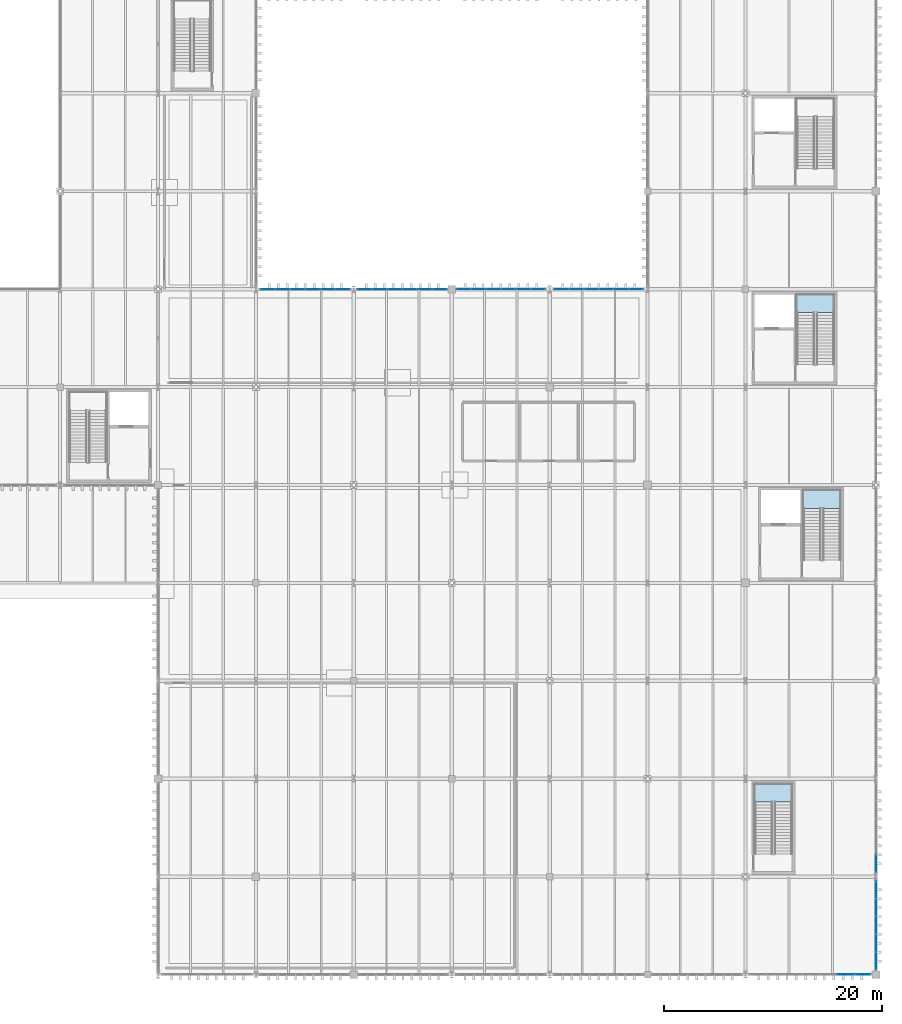
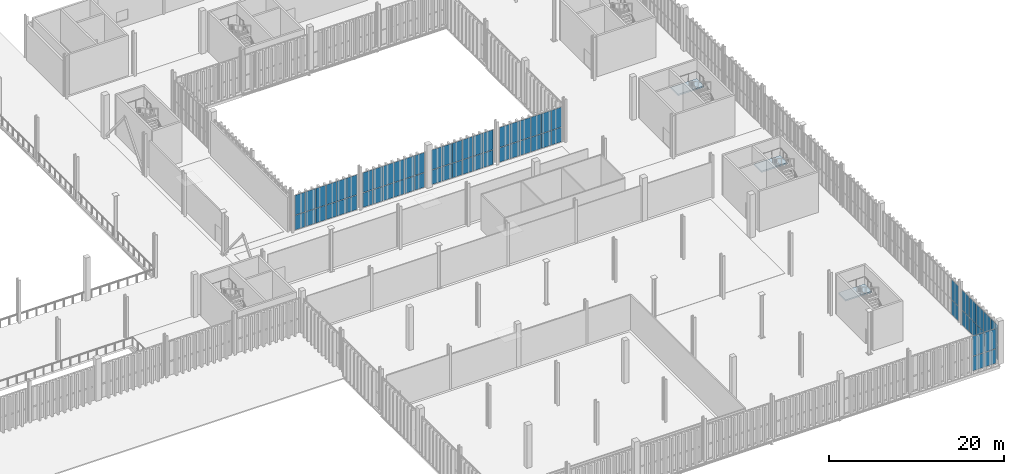
# One storey, part 161 of 211: 64 plates, 3 slabs, 10 elements without a shape of their own.
"""IFC4 building model written with IfcOpenShell, lengths in metres."""

from ifc_helpers import new_model, si_unit, direction, frame, origin, origin_2d, place, context, subcontext, project, spatial, polyline, rectangle, outline, extrude, material, layer, layer_set, type_object, element, aggregate, save


model = new_model("IFC4")

# Units and contexts
model_context = context("Model", 3, precision=1e-05, world=origin(), true_north=direction((0.0, 1.0)))
body_context = subcontext(model_context, "Body", "Model", "MODEL_VIEW")
ifc_project = project(units=[si_unit("LENGTHUNIT", "METRE"), si_unit("AREAUNIT", "SQUARE_METRE"), si_unit("VOLUMEUNIT", "CUBIC_METRE"), si_unit("PLANEANGLEUNIT", "RADIAN"), si_unit("MASSUNIT", "GRAM", prefix="KILO")], contexts=[model_context])

# Site, building, storey
site_placement = place(None, origin())
site = spatial("IfcSite", under=ifc_project, at=site_placement, CompositionType="ELEMENT")
building_placement = place(site_placement, origin())
building = spatial("IfcBuilding", under=site, at=building_placement, Name="Barlavento Convention Centre", CompositionType="ELEMENT")
storey_placement = place(building_placement, frame((0.0, 0.0, 6.0)))
storey = spatial("IfcBuildingStorey", under=building, at=storey_placement, Name="L01", CompositionType="ELEMENT", Elevation=6.0)

# Curtain wall, plates
ifc_material_1 = material(Name="Powder-coated aluminium and Low-E glass", Category="aluminium")
ifc_layer_1 = layer(ifc_material_1, 0.195068359375)
ifc_layer_set_1 = layer_set([ifc_layer_1], Name="ARC-CW-FOY-L01")
curtain_wall_type_1 = type_object("IfcCurtainWallType", Name="ARC-CW-FOY-L01", PredefinedType="NOTDEFINED", material=ifc_layer_set_1)
curtain_wall_1_placement = place(storey_placement, origin())
curtain_wall_1 = element("IfcCurtainWall", 1, at=curtain_wall_1_placement, inside=storey, type_object=curtain_wall_type_1, Name="L01 unitised curtain wall CW03", PredefinedType="NOTDEFINED")
ifc_material_2 = material(Name="Double-silver Low-E insulated glass", Category="glass")
ifc_layer_2 = layer(ifc_material_2, 0.028076171875)
ifc_layer_set_2 = layer_set([ifc_layer_2], Name="ARC-CWP-GLZ28")
plate_type_1 = type_object("IfcPlateType", Name="ARC-CWP-GLZ28", PredefinedType="CURTAIN_PANEL", material=ifc_layer_set_2)
plate_1_placement = place(storey_placement, frame((192.0, 1.2548828125, 0.06005859375), z_axis=(0.0, 0.0, 1.0), x_axis=(0.0, 1.0, 0.0)))
plate_1 = element("IfcPlate", 2, at=plate_1_placement, type_object=plate_type_1, Name="CW03 panel 1.1", PredefinedType="CURTAIN_PANEL", context=body_context, shape_type="SweptSolid", body=[
    extrude(rectangle(XDim=1.550048828125, YDim=0.028076171875, at=origin_2d()), origin(), (0.0, 0.0, 1.0), 2.010009765625),
])
plate_2_placement = place(storey_placement, frame((192.0, 1.2548828125, 2.1298828125), z_axis=(0.0, 0.0, 1.0), x_axis=(0.0, 1.0, 0.0)))
plate_2 = element("IfcPlate", 3, at=plate_2_placement, type_object=plate_type_1, Name="CW03 panel 1.2", PredefinedType="CURTAIN_PANEL", context=body_context, shape_type="SweptSolid", body=[
    extrude(rectangle(XDim=1.550048828125, YDim=0.028076171875, at=origin_2d()), origin(), (0.0, 0.0, 1.0), 2.760009765625),
])
plate_3_placement = place(storey_placement, frame((192.0, 2.8798828125, 0.06005859375), z_axis=(0.0, 0.0, 1.0), x_axis=(0.0, 1.0, 0.0)))
plate_3 = element("IfcPlate", 4, at=plate_3_placement, type_object=plate_type_1, Name="CW03 panel 2.1", PredefinedType="CURTAIN_PANEL", context=body_context, shape_type="SweptSolid", body=[
    extrude(rectangle(XDim=1.580078125, YDim=0.028076171875, at=origin_2d()), origin(), (0.0, 0.0, 1.0), 2.010009765625),
])
plate_4_placement = place(storey_placement, frame((192.0, 2.8798828125, 2.1298828125), z_axis=(0.0, 0.0, 1.0), x_axis=(0.0, 1.0, 0.0)))
plate_4 = element("IfcPlate", 5, at=plate_4_placement, type_object=plate_type_1, Name="CW03 panel 2.2", PredefinedType="CURTAIN_PANEL", context=body_context, shape_type="SweptSolid", body=[
    extrude(rectangle(XDim=1.580078125, YDim=0.028076171875, at=origin_2d()), origin(), (0.0, 0.0, 1.0), 2.760009765625),
])
plate_5_placement = place(storey_placement, frame((192.0, 4.52001953125, 0.06005859375), z_axis=(0.0, 0.0, 1.0), x_axis=(0.0, 1.0, 0.0)))
plate_5 = element("IfcPlate", 6, at=plate_5_placement, type_object=plate_type_1, Name="CW03 panel 3.1", PredefinedType="CURTAIN_PANEL", context=body_context, shape_type="SweptSolid", body=[
    extrude(rectangle(XDim=1.580078125, YDim=0.028076171875, at=origin_2d()), origin(), (0.0, 0.0, 1.0), 2.010009765625),
])
plate_6_placement = place(storey_placement, frame((192.0, 4.52001953125, 2.1298828125), z_axis=(0.0, 0.0, 1.0), x_axis=(0.0, 1.0, 0.0)))
plate_6 = element("IfcPlate", 7, at=plate_6_placement, type_object=plate_type_1, Name="CW03 panel 3.2", PredefinedType="CURTAIN_PANEL", context=body_context, shape_type="SweptSolid", body=[
    extrude(rectangle(XDim=1.580078125, YDim=0.028076171875, at=origin_2d()), origin(), (0.0, 0.0, 1.0), 2.760009765625),
])
plate_7_placement = place(storey_placement, frame((192.0, 6.159912109375, 0.06005859375), z_axis=(0.0, 0.0, 1.0), x_axis=(0.0, 1.0, 0.0)))
plate_7 = element("IfcPlate", 8, at=plate_7_placement, type_object=plate_type_1, Name="CW03 panel 4.1", PredefinedType="CURTAIN_PANEL", context=body_context, shape_type="SweptSolid", body=[
    extrude(rectangle(XDim=1.580078125, YDim=0.028076171875, at=origin_2d()), origin(), (0.0, 0.0, 1.0), 2.010009765625),
])
plate_8_placement = place(storey_placement, frame((192.0, 6.159912109375, 2.1298828125), z_axis=(0.0, 0.0, 1.0), x_axis=(0.0, 1.0, 0.0)))
plate_8 = element("IfcPlate", 9, at=plate_8_placement, type_object=plate_type_1, Name="CW03 panel 4.2", PredefinedType="CURTAIN_PANEL", context=body_context, shape_type="SweptSolid", body=[
    extrude(rectangle(XDim=1.580078125, YDim=0.028076171875, at=origin_2d()), origin(), (0.0, 0.0, 1.0), 2.760009765625),
])
plate_9_placement = place(storey_placement, frame((192.0, 7.784912109375, 0.06005859375), z_axis=(0.0, 0.0, 1.0), x_axis=(0.0, 1.0, 0.0)))
plate_9 = element("IfcPlate", 10, at=plate_9_placement, type_object=plate_type_1, Name="CW03 panel 5.1", PredefinedType="CURTAIN_PANEL", context=body_context, shape_type="SweptSolid", body=[
    extrude(rectangle(XDim=1.550048828125, YDim=0.028076171875, at=origin_2d()), origin(), (0.0, 0.0, 1.0), 2.010009765625),
])
plate_10_placement = place(storey_placement, frame((192.0, 7.784912109375, 2.1298828125), z_axis=(0.0, 0.0, 1.0), x_axis=(0.0, 1.0, 0.0)))
plate_10 = element("IfcPlate", 11, at=plate_10_placement, type_object=plate_type_1, Name="CW03 panel 5.2", PredefinedType="CURTAIN_PANEL", context=body_context, shape_type="SweptSolid", body=[
    extrude(rectangle(XDim=1.550048828125, YDim=0.028076171875, at=origin_2d()), origin(), (0.0, 0.0, 1.0), 2.760009765625),
])
aggregate(curtain_wall_1, [plate_1, plate_2, plate_3, plate_4, plate_5, plate_6, plate_7, plate_8, plate_9, plate_10])

curtain_wall_2_placement = place(storey_placement, origin())
curtain_wall_2 = element("IfcCurtainWall", 12, at=curtain_wall_2_placement, inside=storey, type_object=curtain_wall_type_1, Name="L01 unitised curtain wall CW03", PredefinedType="NOTDEFINED")
plate_11_placement = place(storey_placement, frame((192.0, 10.219970703125, 0.06005859375), z_axis=(0.0, 0.0, 1.0), x_axis=(0.0, 1.0, 0.0)))
plate_11 = element("IfcPlate", 13, at=plate_11_placement, type_object=plate_type_1, Name="CW03 panel 1.1", PredefinedType="CURTAIN_PANEL", context=body_context, shape_type="SweptSolid", body=[
    extrude(rectangle(XDim=1.56005859375, YDim=0.028076171875, at=origin_2d()), origin(), (0.0, 0.0, 1.0), 2.010009765625),
])
plate_12_placement = place(storey_placement, frame((192.0, 10.219970703125, 2.1298828125), z_axis=(0.0, 0.0, 1.0), x_axis=(0.0, 1.0, 0.0)))
plate_12 = element("IfcPlate", 14, at=plate_12_placement, type_object=plate_type_1, Name="CW03 panel 1.2", PredefinedType="CURTAIN_PANEL", context=body_context, shape_type="SweptSolid", body=[
    extrude(rectangle(XDim=1.56005859375, YDim=0.028076171875, at=origin_2d()), origin(), (0.0, 0.0, 1.0), 2.760009765625),
])
aggregate(curtain_wall_2, [plate_11, plate_12])

ifc_layer_3 = layer(ifc_material_1, 0.195068359375)
ifc_layer_set_3 = layer_set([ifc_layer_3], Name="ARC-CW-PATIO-A")
curtain_wall_type_2 = type_object("IfcCurtainWallType", Name="ARC-CW-PATIO-A", PredefinedType="NOTDEFINED", material=ifc_layer_set_3)
curtain_wall_3_placement = place(storey_placement, origin())
curtain_wall_3 = element("IfcCurtainWall", 15, at=curtain_wall_3_placement, inside=storey, type_object=curtain_wall_type_2, Name="L01 unitised curtain wall CW11", PredefinedType="NOTDEFINED")
plate_13_placement = place(storey_placement, frame((136.099365234375, 63.0, 0.06005859375), z_axis=(0.0, 0.0, 1.0), x_axis=(1.0, 0.0, 0.0)))
plate_13 = element("IfcPlate", 16, at=plate_13_placement, type_object=plate_type_1, Name="CW11 panel 1.1", PredefinedType="CURTAIN_PANEL", context=body_context, shape_type="SweptSolid", body=[
    extrude(rectangle(XDim=1.290771484375, YDim=0.028076171875, at=origin_2d()), origin(), (0.0, 0.0, 1.0), 2.010009765625),
])
plate_14_placement = place(storey_placement, frame((136.099365234375, 63.0, 2.1298828125), z_axis=(0.0, 0.0, 1.0), x_axis=(1.0, 0.0, 0.0)))
plate_14 = element("IfcPlate", 17, at=plate_14_placement, type_object=plate_type_1, Name="CW11 panel 1.2", PredefinedType="CURTAIN_PANEL", context=body_context, shape_type="SweptSolid", body=[
    extrude(rectangle(XDim=1.290771484375, YDim=0.028076171875, at=origin_2d()), origin(), (0.0, 0.0, 1.0), 2.760009765625),
])
plate_15_placement = place(storey_placement, frame((137.465087890625, 63.0, 0.06005859375), z_axis=(0.0, 0.0, 1.0), x_axis=(1.0, 0.0, 0.0)))
plate_15 = element("IfcPlate", 18, at=plate_15_placement, type_object=plate_type_1, Name="CW11 panel 2.1", PredefinedType="CURTAIN_PANEL", context=body_context, shape_type="SweptSolid", body=[
    extrude(rectangle(XDim=1.320556640625, YDim=0.028076171875, at=origin_2d()), origin(), (0.0, 0.0, 1.0), 2.010009765625),
])
plate_16_placement = place(storey_placement, frame((137.465087890625, 63.0, 2.1298828125), z_axis=(0.0, 0.0, 1.0), x_axis=(1.0, 0.0, 0.0)))
plate_16 = element("IfcPlate", 19, at=plate_16_placement, type_object=plate_type_1, Name="CW11 panel 2.2", PredefinedType="CURTAIN_PANEL", context=body_context, shape_type="SweptSolid", body=[
    extrude(rectangle(XDim=1.320556640625, YDim=0.028076171875, at=origin_2d()), origin(), (0.0, 0.0, 1.0), 2.760009765625),
])
plate_17_placement = place(storey_placement, frame((138.845703125, 63.0, 0.06005859375), z_axis=(0.0, 0.0, 1.0), x_axis=(1.0, 0.0, 0.0)))
plate_17 = element("IfcPlate", 20, at=plate_17_placement, type_object=plate_type_1, Name="CW11 panel 3.1", PredefinedType="CURTAIN_PANEL", context=body_context, shape_type="SweptSolid", body=[
    extrude(rectangle(XDim=1.320556640625, YDim=0.028076171875, at=origin_2d()), origin(), (0.0, 0.0, 1.0), 2.010009765625),
])
plate_18_placement = place(storey_placement, frame((138.845703125, 63.0, 2.1298828125), z_axis=(0.0, 0.0, 1.0), x_axis=(1.0, 0.0, 0.0)))
plate_18 = element("IfcPlate", 21, at=plate_18_placement, type_object=plate_type_1, Name="CW11 panel 3.2", PredefinedType="CURTAIN_PANEL", context=body_context, shape_type="SweptSolid", body=[
    extrude(rectangle(XDim=1.320556640625, YDim=0.028076171875, at=origin_2d()), origin(), (0.0, 0.0, 1.0), 2.760009765625),
])
plate_19_placement = place(storey_placement, frame((140.226318359375, 63.0, 0.06005859375), z_axis=(0.0, 0.0, 1.0), x_axis=(1.0, 0.0, 0.0)))
plate_19 = element("IfcPlate", 22, at=plate_19_placement, type_object=plate_type_1, Name="CW11 panel 4.1", PredefinedType="CURTAIN_PANEL", context=body_context, shape_type="SweptSolid", body=[
    extrude(rectangle(XDim=1.320556640625, YDim=0.028076171875, at=origin_2d()), origin(), (0.0, 0.0, 1.0), 2.010009765625),
])
plate_20_placement = place(storey_placement, frame((140.226318359375, 63.0, 2.1298828125), z_axis=(0.0, 0.0, 1.0), x_axis=(1.0, 0.0, 0.0)))
plate_20 = element("IfcPlate", 23, at=plate_20_placement, type_object=plate_type_1, Name="CW11 panel 4.2", PredefinedType="CURTAIN_PANEL", context=body_context, shape_type="SweptSolid", body=[
    extrude(rectangle(XDim=1.320556640625, YDim=0.028076171875, at=origin_2d()), origin(), (0.0, 0.0, 1.0), 2.760009765625),
])
plate_21_placement = place(storey_placement, frame((141.60693359375, 63.0, 0.06005859375), z_axis=(0.0, 0.0, 1.0), x_axis=(1.0, 0.0, 0.0)))
plate_21 = element("IfcPlate", 24, at=plate_21_placement, type_object=plate_type_1, Name="CW11 panel 5.1", PredefinedType="CURTAIN_PANEL", context=body_context, shape_type="SweptSolid", body=[
    extrude(rectangle(XDim=1.320556640625, YDim=0.028076171875, at=origin_2d()), origin(), (0.0, 0.0, 1.0), 2.010009765625),
])
plate_22_placement = place(storey_placement, frame((141.60693359375, 63.0, 2.1298828125), z_axis=(0.0, 0.0, 1.0), x_axis=(1.0, 0.0, 0.0)))
plate_22 = element("IfcPlate", 25, at=plate_22_placement, type_object=plate_type_1, Name="CW11 panel 5.2", PredefinedType="CURTAIN_PANEL", context=body_context, shape_type="SweptSolid", body=[
    extrude(rectangle(XDim=1.320556640625, YDim=0.028076171875, at=origin_2d()), origin(), (0.0, 0.0, 1.0), 2.760009765625),
])
plate_23_placement = place(storey_placement, frame((142.97265625, 63.0, 0.06005859375), z_axis=(0.0, 0.0, 1.0), x_axis=(1.0, 0.0, 0.0)))
plate_23 = element("IfcPlate", 26, at=plate_23_placement, type_object=plate_type_1, Name="CW11 panel 6.1", PredefinedType="CURTAIN_PANEL", context=body_context, shape_type="SweptSolid", body=[
    extrude(rectangle(XDim=1.290771484375, YDim=0.028076171875, at=origin_2d()), origin(), (0.0, 0.0, 1.0), 2.010009765625),
])
plate_24_placement = place(storey_placement, frame((142.97265625, 63.0, 2.1298828125), z_axis=(0.0, 0.0, 1.0), x_axis=(1.0, 0.0, 0.0)))
plate_24 = element("IfcPlate", 27, at=plate_24_placement, type_object=plate_type_1, Name="CW11 panel 6.2", PredefinedType="CURTAIN_PANEL", context=body_context, shape_type="SweptSolid", body=[
    extrude(rectangle(XDim=1.290771484375, YDim=0.028076171875, at=origin_2d()), origin(), (0.0, 0.0, 1.0), 2.760009765625),
])
aggregate(curtain_wall_3, [plate_13, plate_14, plate_15, plate_16, plate_17, plate_18, plate_19, plate_20, plate_21, plate_22, plate_23, plate_24])

curtain_wall_4_placement = place(storey_placement, origin())
curtain_wall_4 = element("IfcCurtainWall", 28, at=curtain_wall_4_placement, inside=storey, type_object=curtain_wall_type_2, Name="L01 unitised curtain wall CW11", PredefinedType="NOTDEFINED")
plate_25_placement = place(storey_placement, frame((145.02587890625, 63.0, 0.06005859375), z_axis=(0.0, 0.0, 1.0), x_axis=(1.0, 0.0, 0.0)))
plate_25 = element("IfcPlate", 29, at=plate_25_placement, type_object=plate_type_1, Name="CW11 panel 1.1", PredefinedType="CURTAIN_PANEL", context=body_context, shape_type="SweptSolid", body=[
    extrude(rectangle(XDim=1.2880859375, YDim=0.028076171875, at=origin_2d()), origin(), (0.0, 0.0, 1.0), 2.010009765625),
])
plate_26_placement = place(storey_placement, frame((145.02587890625, 63.0, 2.1298828125), z_axis=(0.0, 0.0, 1.0), x_axis=(1.0, 0.0, 0.0)))
plate_26 = element("IfcPlate", 30, at=plate_26_placement, type_object=plate_type_1, Name="CW11 panel 1.2", PredefinedType="CURTAIN_PANEL", context=body_context, shape_type="SweptSolid", body=[
    extrude(rectangle(XDim=1.2880859375, YDim=0.028076171875, at=origin_2d()), origin(), (0.0, 0.0, 1.0), 2.760009765625),
])
plate_27_placement = place(storey_placement, frame((146.388916015625, 63.0, 0.06005859375), z_axis=(0.0, 0.0, 1.0), x_axis=(1.0, 0.0, 0.0)))
plate_27 = element("IfcPlate", 31, at=plate_27_placement, type_object=plate_type_1, Name="CW11 panel 2.1", PredefinedType="CURTAIN_PANEL", context=body_context, shape_type="SweptSolid", body=[
    extrude(rectangle(XDim=1.318115234375, YDim=0.028076171875, at=origin_2d()), origin(), (0.0, 0.0, 1.0), 2.010009765625),
])
plate_28_placement = place(storey_placement, frame((146.388916015625, 63.0, 2.1298828125), z_axis=(0.0, 0.0, 1.0), x_axis=(1.0, 0.0, 0.0)))
plate_28 = element("IfcPlate", 32, at=plate_28_placement, type_object=plate_type_1, Name="CW11 panel 2.2", PredefinedType="CURTAIN_PANEL", context=body_context, shape_type="SweptSolid", body=[
    extrude(rectangle(XDim=1.318115234375, YDim=0.028076171875, at=origin_2d()), origin(), (0.0, 0.0, 1.0), 2.760009765625),
])
plate_29_placement = place(storey_placement, frame((147.76708984375, 63.0, 0.06005859375), z_axis=(0.0, 0.0, 1.0), x_axis=(1.0, 0.0, 0.0)))
plate_29 = element("IfcPlate", 33, at=plate_29_placement, type_object=plate_type_1, Name="CW11 panel 3.1", PredefinedType="CURTAIN_PANEL", context=body_context, shape_type="SweptSolid", body=[
    extrude(rectangle(XDim=1.318115234375, YDim=0.028076171875, at=origin_2d()), origin(), (0.0, 0.0, 1.0), 2.010009765625),
])
plate_30_placement = place(storey_placement, frame((147.76708984375, 63.0, 2.1298828125), z_axis=(0.0, 0.0, 1.0), x_axis=(1.0, 0.0, 0.0)))
plate_30 = element("IfcPlate", 34, at=plate_30_placement, type_object=plate_type_1, Name="CW11 panel 3.2", PredefinedType="CURTAIN_PANEL", context=body_context, shape_type="SweptSolid", body=[
    extrude(rectangle(XDim=1.318115234375, YDim=0.028076171875, at=origin_2d()), origin(), (0.0, 0.0, 1.0), 2.760009765625),
])
plate_31_placement = place(storey_placement, frame((149.14501953125, 63.0, 0.06005859375), z_axis=(0.0, 0.0, 1.0), x_axis=(1.0, 0.0, 0.0)))
plate_31 = element("IfcPlate", 35, at=plate_31_placement, type_object=plate_type_1, Name="CW11 panel 4.1", PredefinedType="CURTAIN_PANEL", context=body_context, shape_type="SweptSolid", body=[
    extrude(rectangle(XDim=1.318115234375, YDim=0.028076171875, at=origin_2d()), origin(), (0.0, 0.0, 1.0), 2.010009765625),
])
plate_32_placement = place(storey_placement, frame((149.14501953125, 63.0, 2.1298828125), z_axis=(0.0, 0.0, 1.0), x_axis=(1.0, 0.0, 0.0)))
plate_32 = element("IfcPlate", 36, at=plate_32_placement, type_object=plate_type_1, Name="CW11 panel 4.2", PredefinedType="CURTAIN_PANEL", context=body_context, shape_type="SweptSolid", body=[
    extrude(rectangle(XDim=1.318115234375, YDim=0.028076171875, at=origin_2d()), origin(), (0.0, 0.0, 1.0), 2.760009765625),
])
plate_33_placement = place(storey_placement, frame((150.52294921875, 63.0, 0.06005859375), z_axis=(0.0, 0.0, 1.0), x_axis=(1.0, 0.0, 0.0)))
plate_33 = element("IfcPlate", 37, at=plate_33_placement, type_object=plate_type_1, Name="CW11 panel 5.1", PredefinedType="CURTAIN_PANEL", context=body_context, shape_type="SweptSolid", body=[
    extrude(rectangle(XDim=1.318115234375, YDim=0.028076171875, at=origin_2d()), origin(), (0.0, 0.0, 1.0), 2.010009765625),
])
plate_34_placement = place(storey_placement, frame((150.52294921875, 63.0, 2.1298828125), z_axis=(0.0, 0.0, 1.0), x_axis=(1.0, 0.0, 0.0)))
plate_34 = element("IfcPlate", 38, at=plate_34_placement, type_object=plate_type_1, Name="CW11 panel 5.2", PredefinedType="CURTAIN_PANEL", context=body_context, shape_type="SweptSolid", body=[
    extrude(rectangle(XDim=1.318115234375, YDim=0.028076171875, at=origin_2d()), origin(), (0.0, 0.0, 1.0), 2.760009765625),
])
plate_35_placement = place(storey_placement, frame((151.885986328125, 63.0, 0.06005859375), z_axis=(0.0, 0.0, 1.0), x_axis=(1.0, 0.0, 0.0)))
plate_35 = element("IfcPlate", 39, at=plate_35_placement, type_object=plate_type_1, Name="CW11 panel 6.1", PredefinedType="CURTAIN_PANEL", context=body_context, shape_type="SweptSolid", body=[
    extrude(rectangle(XDim=1.2880859375, YDim=0.028076171875, at=origin_2d()), origin(), (0.0, 0.0, 1.0), 2.010009765625),
])
plate_36_placement = place(storey_placement, frame((151.885986328125, 63.0, 2.1298828125), z_axis=(0.0, 0.0, 1.0), x_axis=(1.0, 0.0, 0.0)))
plate_36 = element("IfcPlate", 40, at=plate_36_placement, type_object=plate_type_1, Name="CW11 panel 6.2", PredefinedType="CURTAIN_PANEL", context=body_context, shape_type="SweptSolid", body=[
    extrude(rectangle(XDim=1.2880859375, YDim=0.028076171875, at=origin_2d()), origin(), (0.0, 0.0, 1.0), 2.760009765625),
])
aggregate(curtain_wall_4, [plate_25, plate_26, plate_27, plate_28, plate_29, plate_30, plate_31, plate_32, plate_33, plate_34, plate_35, plate_36])

curtain_wall_5_placement = place(storey_placement, origin())
curtain_wall_5 = element("IfcCurtainWall", 41, at=curtain_wall_5_placement, inside=storey, type_object=curtain_wall_type_2, Name="L01 unitised curtain wall CW11", PredefinedType="NOTDEFINED")
plate_37_placement = place(storey_placement, frame((154.110107421875, 63.0, 0.06005859375), z_axis=(0.0, 0.0, 1.0), x_axis=(1.0, 0.0, 0.0)))
plate_37 = element("IfcPlate", 42, at=plate_37_placement, type_object=plate_type_1, Name="CW11 panel 1.1", PredefinedType="CURTAIN_PANEL", context=body_context, shape_type="SweptSolid", body=[
    extrude(rectangle(XDim=1.280029296875, YDim=0.028076171875, at=origin_2d()), origin(), (0.0, 0.0, 1.0), 2.010009765625),
])
plate_38_placement = place(storey_placement, frame((154.110107421875, 63.0, 2.1298828125), z_axis=(0.0, 0.0, 1.0), x_axis=(1.0, 0.0, 0.0)))
plate_38 = element("IfcPlate", 43, at=plate_38_placement, type_object=plate_type_1, Name="CW11 panel 1.2", PredefinedType="CURTAIN_PANEL", context=body_context, shape_type="SweptSolid", body=[
    extrude(rectangle(XDim=1.280029296875, YDim=0.028076171875, at=origin_2d()), origin(), (0.0, 0.0, 1.0), 2.760009765625),
])
plate_39_placement = place(storey_placement, frame((155.465087890625, 63.0, 0.06005859375), z_axis=(0.0, 0.0, 1.0), x_axis=(1.0, 0.0, 0.0)))
plate_39 = element("IfcPlate", 44, at=plate_39_placement, type_object=plate_type_1, Name="CW11 panel 2.1", PredefinedType="CURTAIN_PANEL", context=body_context, shape_type="SweptSolid", body=[
    extrude(rectangle(XDim=1.31005859375, YDim=0.028076171875, at=origin_2d()), origin(), (0.0, 0.0, 1.0), 2.010009765625),
])
plate_40_placement = place(storey_placement, frame((155.465087890625, 63.0, 2.1298828125), z_axis=(0.0, 0.0, 1.0), x_axis=(1.0, 0.0, 0.0)))
plate_40 = element("IfcPlate", 45, at=plate_40_placement, type_object=plate_type_1, Name="CW11 panel 2.2", PredefinedType="CURTAIN_PANEL", context=body_context, shape_type="SweptSolid", body=[
    extrude(rectangle(XDim=1.31005859375, YDim=0.028076171875, at=origin_2d()), origin(), (0.0, 0.0, 1.0), 2.760009765625),
])
plate_41_placement = place(storey_placement, frame((156.8349609375, 63.0, 0.06005859375), z_axis=(0.0, 0.0, 1.0), x_axis=(1.0, 0.0, 0.0)))
plate_41 = element("IfcPlate", 46, at=plate_41_placement, type_object=plate_type_1, Name="CW11 panel 3.1", PredefinedType="CURTAIN_PANEL", context=body_context, shape_type="SweptSolid", body=[
    extrude(rectangle(XDim=1.31005859375, YDim=0.028076171875, at=origin_2d()), origin(), (0.0, 0.0, 1.0), 2.010009765625),
])
plate_42_placement = place(storey_placement, frame((156.8349609375, 63.0, 2.1298828125), z_axis=(0.0, 0.0, 1.0), x_axis=(1.0, 0.0, 0.0)))
plate_42 = element("IfcPlate", 47, at=plate_42_placement, type_object=plate_type_1, Name="CW11 panel 3.2", PredefinedType="CURTAIN_PANEL", context=body_context, shape_type="SweptSolid", body=[
    extrude(rectangle(XDim=1.31005859375, YDim=0.028076171875, at=origin_2d()), origin(), (0.0, 0.0, 1.0), 2.760009765625),
])
plate_43_placement = place(storey_placement, frame((158.205078125, 63.0, 0.06005859375), z_axis=(0.0, 0.0, 1.0), x_axis=(1.0, 0.0, 0.0)))
plate_43 = element("IfcPlate", 48, at=plate_43_placement, type_object=plate_type_1, Name="CW11 panel 4.1", PredefinedType="CURTAIN_PANEL", context=body_context, shape_type="SweptSolid", body=[
    extrude(rectangle(XDim=1.31005859375, YDim=0.028076171875, at=origin_2d()), origin(), (0.0, 0.0, 1.0), 2.010009765625),
])
plate_44_placement = place(storey_placement, frame((158.205078125, 63.0, 2.1298828125), z_axis=(0.0, 0.0, 1.0), x_axis=(1.0, 0.0, 0.0)))
plate_44 = element("IfcPlate", 49, at=plate_44_placement, type_object=plate_type_1, Name="CW11 panel 4.2", PredefinedType="CURTAIN_PANEL", context=body_context, shape_type="SweptSolid", body=[
    extrude(rectangle(XDim=1.31005859375, YDim=0.028076171875, at=origin_2d()), origin(), (0.0, 0.0, 1.0), 2.760009765625),
])
plate_45_placement = place(storey_placement, frame((159.574951171875, 63.0, 0.06005859375), z_axis=(0.0, 0.0, 1.0), x_axis=(1.0, 0.0, 0.0)))
plate_45 = element("IfcPlate", 50, at=plate_45_placement, type_object=plate_type_1, Name="CW11 panel 5.1", PredefinedType="CURTAIN_PANEL", context=body_context, shape_type="SweptSolid", body=[
    extrude(rectangle(XDim=1.31005859375, YDim=0.028076171875, at=origin_2d()), origin(), (0.0, 0.0, 1.0), 2.010009765625),
])
plate_46_placement = place(storey_placement, frame((159.574951171875, 63.0, 2.1298828125), z_axis=(0.0, 0.0, 1.0), x_axis=(1.0, 0.0, 0.0)))
plate_46 = element("IfcPlate", 51, at=plate_46_placement, type_object=plate_type_1, Name="CW11 panel 5.2", PredefinedType="CURTAIN_PANEL", context=body_context, shape_type="SweptSolid", body=[
    extrude(rectangle(XDim=1.31005859375, YDim=0.028076171875, at=origin_2d()), origin(), (0.0, 0.0, 1.0), 2.760009765625),
])
plate_47_placement = place(storey_placement, frame((160.929931640625, 63.0, 0.06005859375), z_axis=(0.0, 0.0, 1.0), x_axis=(1.0, 0.0, 0.0)))
plate_47 = element("IfcPlate", 52, at=plate_47_placement, type_object=plate_type_1, Name="CW11 panel 6.1", PredefinedType="CURTAIN_PANEL", context=body_context, shape_type="SweptSolid", body=[
    extrude(rectangle(XDim=1.280029296875, YDim=0.028076171875, at=origin_2d()), origin(), (0.0, 0.0, 1.0), 2.010009765625),
])
plate_48_placement = place(storey_placement, frame((160.929931640625, 63.0, 2.1298828125), z_axis=(0.0, 0.0, 1.0), x_axis=(1.0, 0.0, 0.0)))
plate_48 = element("IfcPlate", 53, at=plate_48_placement, type_object=plate_type_1, Name="CW11 panel 6.2", PredefinedType="CURTAIN_PANEL", context=body_context, shape_type="SweptSolid", body=[
    extrude(rectangle(XDim=1.280029296875, YDim=0.028076171875, at=origin_2d()), origin(), (0.0, 0.0, 1.0), 2.760009765625),
])
aggregate(curtain_wall_5, [plate_37, plate_38, plate_39, plate_40, plate_41, plate_42, plate_43, plate_44, plate_45, plate_46, plate_47, plate_48])

curtain_wall_6_placement = place(storey_placement, origin())
curtain_wall_6 = element("IfcCurtainWall", 54, at=curtain_wall_6_placement, inside=storey, type_object=curtain_wall_type_2, Name="L01 unitised curtain wall CW11", PredefinedType="NOTDEFINED")
plate_49_placement = place(storey_placement, frame((163.07421875, 63.0, 0.06005859375), z_axis=(0.0, 0.0, 1.0), x_axis=(1.0, 0.0, 0.0)))
plate_49 = element("IfcPlate", 55, at=plate_49_placement, type_object=plate_type_1, Name="CW11 panel 1.1", PredefinedType="CURTAIN_PANEL", context=body_context, shape_type="SweptSolid", body=[
    extrude(rectangle(XDim=1.288330078125, YDim=0.028076171875, at=origin_2d()), origin(), (0.0, 0.0, 1.0), 2.010009765625),
])
plate_50_placement = place(storey_placement, frame((163.07421875, 63.0, 2.1298828125), z_axis=(0.0, 0.0, 1.0), x_axis=(1.0, 0.0, 0.0)))
plate_50 = element("IfcPlate", 56, at=plate_50_placement, type_object=plate_type_1, Name="CW11 panel 1.2", PredefinedType="CURTAIN_PANEL", context=body_context, shape_type="SweptSolid", body=[
    extrude(rectangle(XDim=1.288330078125, YDim=0.028076171875, at=origin_2d()), origin(), (0.0, 0.0, 1.0), 2.760009765625),
])
plate_51_placement = place(storey_placement, frame((164.4375, 63.0, 0.06005859375), z_axis=(0.0, 0.0, 1.0), x_axis=(1.0, 0.0, 0.0)))
plate_51 = element("IfcPlate", 57, at=plate_51_placement, type_object=plate_type_1, Name="CW11 panel 2.1", PredefinedType="CURTAIN_PANEL", context=body_context, shape_type="SweptSolid", body=[
    extrude(rectangle(XDim=1.318359375, YDim=0.028076171875, at=origin_2d()), origin(), (0.0, 0.0, 1.0), 2.010009765625),
])
plate_52_placement = place(storey_placement, frame((164.4375, 63.0, 2.1298828125), z_axis=(0.0, 0.0, 1.0), x_axis=(1.0, 0.0, 0.0)))
plate_52 = element("IfcPlate", 58, at=plate_52_placement, type_object=plate_type_1, Name="CW11 panel 2.2", PredefinedType="CURTAIN_PANEL", context=body_context, shape_type="SweptSolid", body=[
    extrude(rectangle(XDim=1.318359375, YDim=0.028076171875, at=origin_2d()), origin(), (0.0, 0.0, 1.0), 2.760009765625),
])
plate_53_placement = place(storey_placement, frame((165.81591796875, 63.0, 0.06005859375), z_axis=(0.0, 0.0, 1.0), x_axis=(1.0, 0.0, 0.0)))
plate_53 = element("IfcPlate", 59, at=plate_53_placement, type_object=plate_type_1, Name="CW11 panel 3.1", PredefinedType="CURTAIN_PANEL", context=body_context, shape_type="SweptSolid", body=[
    extrude(rectangle(XDim=1.318359375, YDim=0.028076171875, at=origin_2d()), origin(), (0.0, 0.0, 1.0), 2.010009765625),
])
plate_54_placement = place(storey_placement, frame((165.81591796875, 63.0, 2.1298828125), z_axis=(0.0, 0.0, 1.0), x_axis=(1.0, 0.0, 0.0)))
plate_54 = element("IfcPlate", 60, at=plate_54_placement, type_object=plate_type_1, Name="CW11 panel 3.2", PredefinedType="CURTAIN_PANEL", context=body_context, shape_type="SweptSolid", body=[
    extrude(rectangle(XDim=1.318359375, YDim=0.028076171875, at=origin_2d()), origin(), (0.0, 0.0, 1.0), 2.760009765625),
])
plate_55_placement = place(storey_placement, frame((167.194091796875, 63.0, 0.06005859375), z_axis=(0.0, 0.0, 1.0), x_axis=(1.0, 0.0, 0.0)))
plate_55 = element("IfcPlate", 61, at=plate_55_placement, type_object=plate_type_1, Name="CW11 panel 4.1", PredefinedType="CURTAIN_PANEL", context=body_context, shape_type="SweptSolid", body=[
    extrude(rectangle(XDim=1.318359375, YDim=0.028076171875, at=origin_2d()), origin(), (0.0, 0.0, 1.0), 2.010009765625),
])
plate_56_placement = place(storey_placement, frame((167.194091796875, 63.0, 2.1298828125), z_axis=(0.0, 0.0, 1.0), x_axis=(1.0, 0.0, 0.0)))
plate_56 = element("IfcPlate", 62, at=plate_56_placement, type_object=plate_type_1, Name="CW11 panel 4.2", PredefinedType="CURTAIN_PANEL", context=body_context, shape_type="SweptSolid", body=[
    extrude(rectangle(XDim=1.318359375, YDim=0.028076171875, at=origin_2d()), origin(), (0.0, 0.0, 1.0), 2.760009765625),
])
plate_57_placement = place(storey_placement, frame((168.572509765625, 63.0, 0.06005859375), z_axis=(0.0, 0.0, 1.0), x_axis=(1.0, 0.0, 0.0)))
plate_57 = element("IfcPlate", 63, at=plate_57_placement, type_object=plate_type_1, Name="CW11 panel 5.1", PredefinedType="CURTAIN_PANEL", context=body_context, shape_type="SweptSolid", body=[
    extrude(rectangle(XDim=1.318359375, YDim=0.028076171875, at=origin_2d()), origin(), (0.0, 0.0, 1.0), 2.010009765625),
])
plate_58_placement = place(storey_placement, frame((168.572509765625, 63.0, 2.1298828125), z_axis=(0.0, 0.0, 1.0), x_axis=(1.0, 0.0, 0.0)))
plate_58 = element("IfcPlate", 64, at=plate_58_placement, type_object=plate_type_1, Name="CW11 panel 5.2", PredefinedType="CURTAIN_PANEL", context=body_context, shape_type="SweptSolid", body=[
    extrude(rectangle(XDim=1.318359375, YDim=0.028076171875, at=origin_2d()), origin(), (0.0, 0.0, 1.0), 2.760009765625),
])
plate_59_placement = place(storey_placement, frame((169.935791015625, 63.0, 0.06005859375), z_axis=(0.0, 0.0, 1.0), x_axis=(1.0, 0.0, 0.0)))
plate_59 = element("IfcPlate", 65, at=plate_59_placement, type_object=plate_type_1, Name="CW11 panel 6.1", PredefinedType="CURTAIN_PANEL", context=body_context, shape_type="SweptSolid", body=[
    extrude(rectangle(XDim=1.288330078125, YDim=0.028076171875, at=origin_2d()), origin(), (0.0, 0.0, 1.0), 2.010009765625),
])
plate_60_placement = place(storey_placement, frame((169.935791015625, 63.0, 2.1298828125), z_axis=(0.0, 0.0, 1.0), x_axis=(1.0, 0.0, 0.0)))
plate_60 = element("IfcPlate", 66, at=plate_60_placement, type_object=plate_type_1, Name="CW11 panel 6.2", PredefinedType="CURTAIN_PANEL", context=body_context, shape_type="SweptSolid", body=[
    extrude(rectangle(XDim=1.288330078125, YDim=0.028076171875, at=origin_2d()), origin(), (0.0, 0.0, 1.0), 2.760009765625),
])
aggregate(curtain_wall_6, [plate_49, plate_50, plate_51, plate_52, plate_53, plate_54, plate_55, plate_56, plate_57, plate_58, plate_59, plate_60])

ifc_layer_4 = layer(ifc_material_1, 0.18994140625)
ifc_layer_set_4 = layer_set([ifc_layer_4], Name="ARC-CW-BALL-L01")
curtain_wall_type_3 = type_object("IfcCurtainWallType", Name="ARC-CW-BALL-L01", PredefinedType="NOTDEFINED", material=ifc_layer_set_4)
curtain_wall_7_placement = place(storey_placement, origin())
curtain_wall_7 = element("IfcCurtainWall", 67, at=curtain_wall_7_placement, inside=storey, type_object=curtain_wall_type_3, Name="L01 unitised curtain wall CW06", PredefinedType="NOTDEFINED")
ifc_material_3 = material(Name="Double-silver Low-E acoustic laminated glass", Category="glass")
ifc_layer_5 = layer(ifc_material_3, 0.031982421875)
ifc_layer_set_5 = layer_set([ifc_layer_5], Name="ARC-CWP-GLZ32")
plate_type_2 = type_object("IfcPlateType", Name="ARC-CWP-GLZ32", PredefinedType="CURTAIN_PANEL", material=ifc_layer_set_5)
plate_61_placement = place(storey_placement, frame((189.163330078125, 0.0, 0.06494140625), z_axis=(0.0, 0.0, 1.0), x_axis=(1.0, 0.0, 0.0)))
plate_61 = element("IfcPlate", 68, at=plate_61_placement, type_object=plate_type_2, Name="CW06 panel 6.1", PredefinedType="CURTAIN_PANEL", context=body_context, shape_type="SweptSolid", body=[
    extrude(rectangle(XDim=1.52783203125, YDim=0.031982421875, at=origin_2d()), origin(), (0.0, 0.0, 1.0), 2.00244140625),
])
plate_62_placement = place(storey_placement, frame((189.163330078125, 0.0, 2.132568359375), z_axis=(0.0, 0.0, 1.0), x_axis=(1.0, 0.0, 0.0)))
plate_62 = element("IfcPlate", 69, at=plate_62_placement, type_object=plate_type_2, Name="CW06 panel 6.2", PredefinedType="CURTAIN_PANEL", context=body_context, shape_type="SweptSolid", body=[
    extrude(rectangle(XDim=1.52783203125, YDim=0.031982421875, at=origin_2d()), origin(), (0.0, 0.0, 1.0), 2.75244140625),
])
plate_63_placement = place(storey_placement, frame((190.74365234375, 0.0, 0.06494140625), z_axis=(0.0, 0.0, 1.0), x_axis=(1.0, 0.0, 0.0)))
plate_63 = element("IfcPlate", 70, at=plate_63_placement, type_object=plate_type_2, Name="CW06 panel 7.1", PredefinedType="CURTAIN_PANEL", context=body_context, shape_type="SweptSolid", body=[
    extrude(rectangle(XDim=1.49267578125, YDim=0.031982421875, at=origin_2d()), origin(), (0.0, 0.0, 1.0), 2.00244140625),
])
plate_64_placement = place(storey_placement, frame((190.74365234375, 0.0, 2.132568359375), z_axis=(0.0, 0.0, 1.0), x_axis=(1.0, 0.0, 0.0)))
plate_64 = element("IfcPlate", 71, at=plate_64_placement, type_object=plate_type_2, Name="CW06 panel 7.2", PredefinedType="CURTAIN_PANEL", context=body_context, shape_type="SweptSolid", body=[
    extrude(rectangle(XDim=1.49267578125, YDim=0.031982421875, at=origin_2d()), origin(), (0.0, 0.0, 1.0), 2.75244140625),
])
aggregate(curtain_wall_7, [plate_61, plate_62, plate_63, plate_64])

# Stair, slab
ifc_material_4 = material(Name="Concrete C40/50", Category="concrete")
stair_type = type_object("IfcStairType", Name="ARC-STR-DOG-1620", PredefinedType="HALF_TURN_STAIR", material=ifc_material_4)
stair_1_placement = place(storey_placement, origin())
stair_1 = element("IfcStair", 72, at=stair_1_placement, inside=storey, type_object=stair_type, Name="L01 ST05", PredefinedType="HALF_TURN_STAIR")
ifc_layer_6 = layer(ifc_material_4, 0.199951171875)
ifc_layer_set_6 = layer_set([ifc_layer_6], Name="ARC-SLB-LND-200")
slab_type = type_object("IfcSlabType", Name="ARC-SLB-LND-200", PredefinedType="LANDING", material=ifc_layer_set_6)
slab_1_placement = place(storey_placement, frame((0.0, 0.0, 2.800048828125)))
slab_1 = element("IfcSlab", 73, at=slab_1_placement, type_object=slab_type, Name="ST05 landing 1", PredefinedType="LANDING", context=body_context, shape_type="SweptSolid", body=[
    extrude(outline(polyline([(188.14990234375, 60.85009765625), (188.14990234375, 62.530029296875), (184.7099609375, 62.530029296875), (184.7099609375, 60.85009765625), (188.14990234375, 60.85009765625)])), origin(), (0.0, 0.0, 1.0), 0.199951171875),
])
aggregate(stair_1, [slab_1])

stair_2_placement = place(storey_placement, origin())
stair_2 = element("IfcStair", 74, at=stair_2_placement, inside=storey, type_object=stair_type, Name="L01 ST06", PredefinedType="HALF_TURN_STAIR")
slab_2_placement = place(storey_placement, frame((0.0, 0.0, 2.800048828125)))
slab_2 = element("IfcSlab", 75, at=slab_2_placement, type_object=slab_type, Name="ST06 landing 1", PredefinedType="LANDING", context=body_context, shape_type="SweptSolid", body=[
    extrude(outline(polyline([(188.75, 42.85009765625), (188.75, 44.530029296875), (185.31005859375, 44.530029296875), (185.31005859375, 42.85009765625), (188.75, 42.85009765625)])), origin(), (0.0, 0.0, 1.0), 0.199951171875),
])
aggregate(stair_2, [slab_2])

stair_3_placement = place(storey_placement, origin())
stair_3 = element("IfcStair", 76, at=stair_3_placement, inside=storey, type_object=stair_type, Name="L01 ST14", PredefinedType="HALF_TURN_STAIR")
slab_3_placement = place(storey_placement, frame((0.0, 0.0, 2.800048828125)))
slab_3 = element("IfcSlab", 77, at=slab_3_placement, type_object=slab_type, Name="ST14 landing 1", PredefinedType="LANDING", context=body_context, shape_type="SweptSolid", body=[
    extrude(outline(polyline([(184.2900390625, 15.85009765625), (184.2900390625, 17.530029296875), (180.85009765625, 17.530029296875), (180.85009765625, 15.85009765625), (184.2900390625, 15.85009765625)])), origin(), (0.0, 0.0, 1.0), 0.199951171875),
])
aggregate(stair_3, [slab_3])

save(model, "model.ifc")
